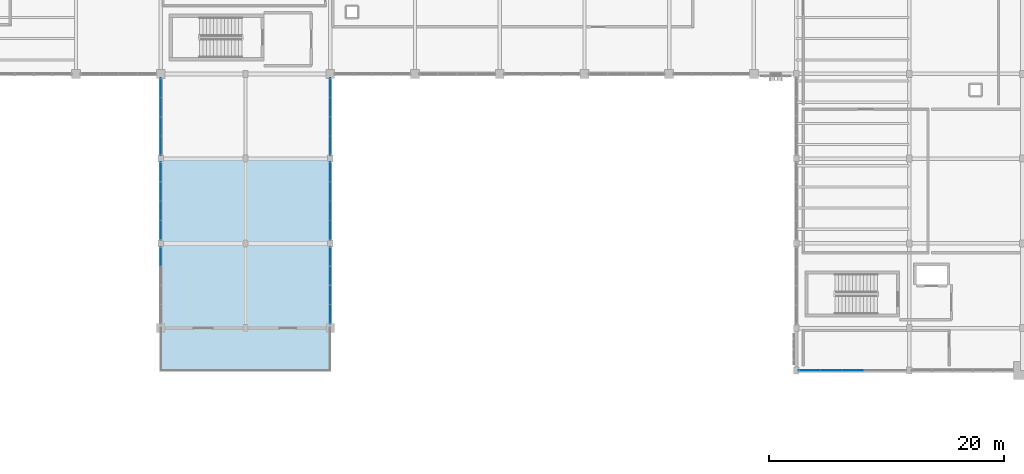
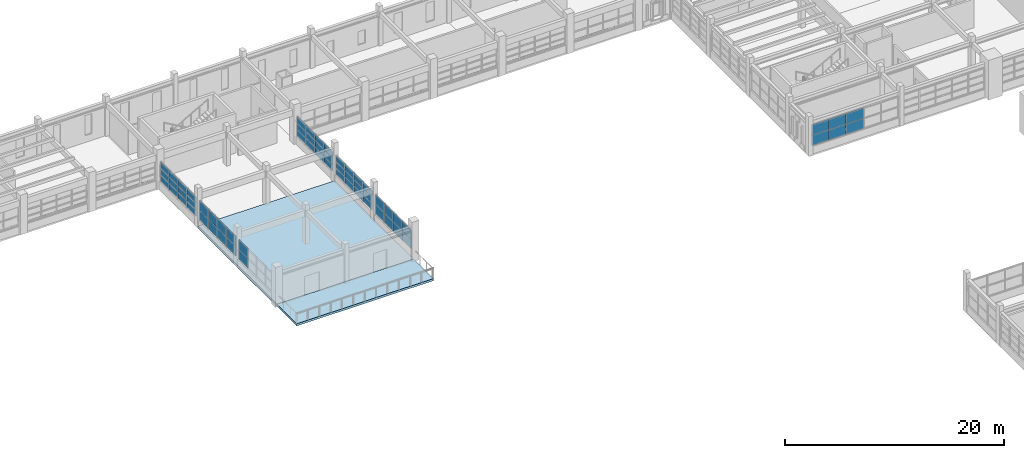
# One storey, part 38 of 69: 60 plates, 2 slabs, 7 elements without a shape of their own.
"""IFC4 building model written with IfcOpenShell, lengths in metres."""

import ifcopenshell
import ifcopenshell.guid

model = None  # the IFC model being written
_history = None  # IfcOwnerHistory: only IFC2X3 demands one
_inside = {}  # id of a spatial element -> (the spatial element, [elements in it])
_under = {}  # id of a project, library or spatial element -> (it, [spatial elements below it])
_declared = {}  # id of a project -> (the project, [libraries it declares])
_typed = {}  # id of a type object -> (the type object, [elements of that type])
_made_of = {}  # id of a material, layer set ... -> (it, [elements and type objects made of it])


def new_model(schema):
    """Start an empty IFC model of exactly this schema.

    Asked for "IFC4X3", IfcOpenShell would pick the latest addendum, in which some entities
    have other attributes; the version numbers below select the first issue.
    IFC2X3 requires an IfcOwnerHistory on every rooted entity: one is made here for all.
    """
    global model, _history
    if schema == "IFC4X3":
        model = ifcopenshell.file(schema_version=(4, 3, 0, 0))
    else:
        model = ifcopenshell.file(schema=schema)
    _inside.clear()
    _under.clear()
    _declared.clear()
    _typed.clear()
    _made_of.clear()
    _history = None
    if model.schema == "IFC2X3":
        org = make("IfcOrganization", Name="unknown")
        user = make(
            "IfcPersonAndOrganization",
            ThePerson=make("IfcPerson", FamilyName="unknown"),
            TheOrganization=org,
        )
        app = make(
            "IfcApplication",
            ApplicationDeveloper=org,
            Version="unknown",
            ApplicationFullName="unknown",
            ApplicationIdentifier="unknown",
        )
        _history = make(
            "IfcOwnerHistory",
            OwningUser=user,
            OwningApplication=app,
            ChangeAction="ADDED",
            CreationDate=0,
        )
    return model


def make(cls, **values):
    """One entity of the class cls with the attributes given. An attribute that is None is left unset."""
    return model.create_entity(
        cls, **{name: value for name, value in values.items() if value is not None}
    )


def rooted(cls, **values):
    """An entity with a GlobalId (a new one), such as an element, a storey or a relation."""
    return make(cls, GlobalId=ifcopenshell.guid.new(), OwnerHistory=_history, **values)


def si_unit(unit_type, name, prefix=None):
    """IfcSIUnit, for example si_unit("LENGTHUNIT", "METRE", prefix="MILLI")."""
    return make("IfcSIUnit", UnitType=unit_type, Prefix=prefix, Name=name)


def assignment(units):
    """IfcUnitAssignment: the units of a project."""
    return None if units is None else make("IfcUnitAssignment", Units=units)


def point(xyz):
    """IfcCartesianPoint."""
    return None if xyz is None else make("IfcCartesianPoint", Coordinates=xyz)


def direction(xyz):
    """IfcDirection."""
    return None if xyz is None else make("IfcDirection", DirectionRatios=xyz)


def frame(location, z_axis=None, x_axis=None):
    """IfcAxis2Placement3D, a coordinate frame: its origin and axes. An axis left out is left unset."""
    return make(
        "IfcAxis2Placement3D",
        Location=point(location),
        Axis=direction(z_axis),
        RefDirection=direction(x_axis),
    )


def frame_2d(location, x_axis=None):
    """IfcAxis2Placement2D, a coordinate frame in the plane: its origin and x axis."""
    return make(
        "IfcAxis2Placement2D", Location=point(location), RefDirection=direction(x_axis)
    )


def origin():
    """The frame at (0, 0, 0) with its axes left unset."""
    return frame((0.0, 0.0, 0.0))


def origin_2d():
    """The frame at (0, 0) in the plane with its x axis left unset."""
    return frame_2d((0.0, 0.0))


def place(relative_to, where):
    """IfcLocalPlacement: puts the frame where relative to a parent placement (None: the world)."""
    return make(
        "IfcLocalPlacement", PlacementRelTo=relative_to, RelativePlacement=where
    )


def context(
    kind, dimensions, precision=None, world=None, true_north=None, identifier=None
):
    """IfcGeometricRepresentationContext, for example the 3D "Model" context."""
    return make(
        "IfcGeometricRepresentationContext",
        ContextIdentifier=identifier,
        ContextType=kind,
        CoordinateSpaceDimension=dimensions,
        Precision=precision,
        WorldCoordinateSystem=world,
        TrueNorth=true_north,
    )


def subcontext(parent, identifier, kind, view, scale=None):
    """IfcGeometricRepresentationSubContext, for example "Body" below "Model"."""
    return make(
        "IfcGeometricRepresentationSubContext",
        ContextIdentifier=identifier,
        ContextType=kind,
        ParentContext=parent,
        TargetScale=scale,
        TargetView=view,
    )


def project(units=None, contexts=None):
    """IfcProject with its units and contexts."""
    return rooted(
        "IfcProject",
        Name="project",
        RepresentationContexts=contexts,
        UnitsInContext=assignment(units),
    )


def spatial(cls, under=None, at=None, **own):
    """A site, building, storey or space (cls), placed at a placement, below another one or the project."""
    s = rooted(cls, ObjectPlacement=at, **own)
    if under is not None:
        _under.setdefault(under.id(), (under, []))[1].append(s)
    return s


def polyline(points):
    """IfcPolyline through the points."""
    return make("IfcPolyline", Points=[point(p) for p in points])


def profile(cls, at=None, kind="AREA", **sizes):
    """A parametric profile (cls). Its sizes go by their IFC names, for example OverallWidth=200.0."""
    return make(cls, ProfileType=kind, Position=at, **sizes)


def rectangle(**sizes):
    """IfcRectangleProfileDef."""
    return profile("IfcRectangleProfileDef", **sizes)


def outline(outer, holes=None, kind="AREA"):
    """IfcArbitraryClosedProfileDef: a profile drawn as a closed curve; with holes, ...WithVoids."""
    if holes is None:
        return make("IfcArbitraryClosedProfileDef", ProfileType=kind, OuterCurve=outer)
    return make(
        "IfcArbitraryProfileDefWithVoids",
        ProfileType=kind,
        OuterCurve=outer,
        InnerCurves=holes,
    )


def extrude(swept, where, along, depth):
    """IfcExtrudedAreaSolid: the profile swept, set in the frame where, extruded along a direction by depth."""
    return make(
        "IfcExtrudedAreaSolid",
        SweptArea=swept,
        Position=where,
        ExtrudedDirection=direction(along),
        Depth=depth,
    )


def shape(context_of_items, identifier, shape_type, items):
    """IfcShapeRepresentation: the items that make up one representation, for example the "Body"."""
    return make(
        "IfcShapeRepresentation",
        ContextOfItems=context_of_items,
        RepresentationIdentifier=identifier,
        RepresentationType=shape_type,
        Items=items,
    )


def material(Name=None, Category=None):
    """IfcMaterial."""
    return make("IfcMaterial", Name=Name, Category=Category)


def layer(
    of_material, thickness, ventilated=None, Name=None, Category=None, Priority=None
):
    """IfcMaterialLayer: one layer of a wall or slab, of a material (None: an air gap)."""
    return make(
        "IfcMaterialLayer",
        Material=of_material,
        LayerThickness=thickness,
        IsVentilated=ventilated,
        Name=Name,
        Category=Category,
        Priority=Priority,
    )


def layer_set(layers, Name=None):
    """IfcMaterialLayerSet."""
    return make("IfcMaterialLayerSet", MaterialLayers=layers, LayerSetName=Name)


def made_of(thing, what):
    """Note that an element or type object is made of a material, layer set ...; save() writes the relation."""
    if what is not None:
        _made_of.setdefault(what.id(), (what, []))[1].append(thing)
    return thing


def type_object(cls, material=None, **own):
    """A type object (cls), such as IfcWallType, which elements share."""
    return made_of(rooted(cls, **own), material)


def element(
    cls,
    number,
    at=None,
    inside=None,
    cuts=None,
    type_object=None,
    material=None,
    context=None,
    identifier="Body",
    shape_type=None,
    held_by="IfcProductDefinitionShape",
    body=None,
    shapes=None,
    **own,
):
    """One element of the class cls, such as IfcWall. Its Tag is "e" and its number.

    at: its placement. inside: the storey or other place that contains it. cuts: it is an
    opening in that element (IfcRelVoidsElement). A single representation is given by context,
    identifier, shape_type and body (its items); several are given by shapes. held_by: the class
    of the entity that holds the representations. save() writes the other relations.
    """
    e = rooted(cls, Tag="e%d" % number, ObjectPlacement=at, **own)
    if body is not None:
        shapes = [shape(context, identifier, shape_type, body)]
    if shapes is not None:
        e.Representation = make(held_by, Representations=shapes)
    if inside is not None:
        _inside.setdefault(inside.id(), (inside, []))[1].append(e)
    if cuts is not None:
        rooted(
            "IfcRelVoidsElement", RelatingBuildingElement=cuts, RelatedOpeningElement=e
        )
    if type_object is not None:
        _typed.setdefault(type_object.id(), (type_object, []))[1].append(e)
    return made_of(e, material)


def aggregate(whole, parts):
    """IfcRelAggregates: a whole, such as a stair, and the parts it consists of."""
    return rooted("IfcRelAggregates", RelatingObject=whole, RelatedObjects=parts)


def save(model, path):
    """Write the relations noted so far, then the file.

    IfcRelAggregates (storeys below a building ...), IfcRelContainedInSpatialStructure (elements
    in a storey), IfcRelDefinesByType, IfcRelAssociatesMaterial and IfcRelDeclares: one each for
    every whole, place, type object, material and project.
    """
    for whole, parts in _under.values():
        aggregate(whole, parts)
    for where, things in _inside.values():
        rooted(
            "IfcRelContainedInSpatialStructure",
            RelatedElements=things,
            RelatingStructure=where,
        )
    for kind, things in _typed.values():
        rooted("IfcRelDefinesByType", RelatedObjects=things, RelatingType=kind)
    for what, things in _made_of.values():
        rooted("IfcRelAssociatesMaterial", RelatedObjects=things, RelatingMaterial=what)
    for by, libraries in _declared.values():
        rooted("IfcRelDeclares", RelatingContext=by, RelatedDefinitions=libraries)
    model.write(path)


model = new_model("IFC4")

# Units and contexts
model_context = context("Model", 3, precision=1e-05, world=origin(), true_north=direction((0.0, 1.0)))
body_context = subcontext(model_context, "Body", "Model", "MODEL_VIEW")
ifc_project = project(units=[si_unit("LENGTHUNIT", "METRE"), si_unit("AREAUNIT", "SQUARE_METRE"), si_unit("VOLUMEUNIT", "CUBIC_METRE"), si_unit("PLANEANGLEUNIT", "RADIAN"), si_unit("MASSUNIT", "GRAM", prefix="KILO")], contexts=[model_context])

# Site, building, storey
site_placement = place(None, origin())
site = spatial("IfcSite", under=ifc_project, at=site_placement, CompositionType="ELEMENT")
building_placement = place(site_placement, origin())
building = spatial("IfcBuilding", under=site, at=building_placement, Name="Nzembalo Square Collegiate School", CompositionType="ELEMENT")
storey_placement = place(building_placement, frame((0.0, 0.0, 5.10009765625)))
storey = spatial("IfcBuildingStorey", under=building, at=storey_placement, Name="L01", CompositionType="ELEMENT", Elevation=5.10009765625)

# Curtain wall, plates
ifc_material_1 = material(Name="Aluminium 6060-T66", Category="aluminium")
curtain_wall_type_1 = type_object("IfcCurtainWallType", Name="CW-01", PredefinedType="USERDEFINED", material=ifc_material_1)
curtain_wall_1_placement = place(storey_placement, origin())
curtain_wall_1 = element("IfcCurtainWall", 1, at=curtain_wall_1_placement, inside=storey, type_object=curtain_wall_type_1, Name="Curtain wall CW-01 cw:L01:080", ObjectType="UNITISED", PredefinedType="USERDEFINED")
ifc_material_2 = material(Name="Laminated solar-control double glazing", Category="glass")
ifc_layer_1 = layer(ifc_material_2, 0.028076171875, Name="Laminated solar-control double glazing")
ifc_layer_set_1 = layer_set([ifc_layer_1], Name="Laminated solar-control double glazing")
plate_type_1 = type_object("IfcPlateType", Name="PN01", PredefinedType="CURTAIN_PANEL", material=ifc_layer_set_1)
plate_1_placement = place(storey_placement, frame((91.199951171875, 91.12646484375, 0.85400390625), z_axis=(0.0, 0.0, 1.0), x_axis=(0.0, 1.0, 0.0)))
plate_1 = element("IfcPlate", 2, at=plate_1_placement, type_object=plate_type_1, Name="PN01 glazed panel 1-1", PredefinedType="CURTAIN_PANEL", context=body_context, shape_type="SweptSolid", body=[
    extrude(rectangle(XDim=1.64111328125, YDim=0.028076171875, at=origin_2d()), origin(), (0.0, 0.0, 1.0), 0.716552734375),
])
plate_2_placement = place(storey_placement, frame((91.199951171875, 92.775390625, 0.85400390625), z_axis=(0.0, 0.0, 1.0), x_axis=(0.0, 1.0, 0.0)))
plate_2 = element("IfcPlate", 3, at=plate_2_placement, type_object=plate_type_1, Name="PN01 glazed panel 1-2", PredefinedType="CURTAIN_PANEL", context=body_context, shape_type="SweptSolid", body=[
    extrude(rectangle(XDim=1.64111328125, YDim=0.028076171875, at=origin_2d()), origin(), (0.0, 0.0, 1.0), 0.716552734375),
])
plate_3_placement = place(storey_placement, frame((91.199951171875, 94.424560546875, 0.85400390625), z_axis=(0.0, 0.0, 1.0), x_axis=(0.0, 1.0, 0.0)))
plate_3 = element("IfcPlate", 4, at=plate_3_placement, type_object=plate_type_1, Name="PN01 glazed panel 1-3", PredefinedType="CURTAIN_PANEL", context=body_context, shape_type="SweptSolid", body=[
    extrude(rectangle(XDim=1.64111328125, YDim=0.028076171875, at=origin_2d()), origin(), (0.0, 0.0, 1.0), 0.716552734375),
])
plate_4_placement = place(storey_placement, frame((91.199951171875, 96.073486328125, 0.85400390625), z_axis=(0.0, 0.0, 1.0), x_axis=(0.0, 1.0, 0.0)))
plate_4 = element("IfcPlate", 5, at=plate_4_placement, type_object=plate_type_1, Name="PN01 glazed panel 1-4", PredefinedType="CURTAIN_PANEL", context=body_context, shape_type="SweptSolid", body=[
    extrude(rectangle(XDim=1.64111328125, YDim=0.028076171875, at=origin_2d()), origin(), (0.0, 0.0, 1.0), 0.716552734375),
])
plate_5_placement = place(storey_placement, frame((91.199951171875, 91.12646484375, 1.57861328125), z_axis=(0.0, 0.0, 1.0), x_axis=(0.0, 1.0, 0.0)))
plate_5 = element("IfcPlate", 6, at=plate_5_placement, type_object=plate_type_1, Name="PN01 glazed panel 2-1", PredefinedType="CURTAIN_PANEL", context=body_context, shape_type="SweptSolid", body=[
    extrude(rectangle(XDim=1.64111328125, YDim=0.028076171875, at=origin_2d()), origin(), (0.0, 0.0, 1.0), 0.716552734375),
])
plate_6_placement = place(storey_placement, frame((91.199951171875, 92.775390625, 1.57861328125), z_axis=(0.0, 0.0, 1.0), x_axis=(0.0, 1.0, 0.0)))
plate_6 = element("IfcPlate", 7, at=plate_6_placement, type_object=plate_type_1, Name="PN01 glazed panel 2-2", PredefinedType="CURTAIN_PANEL", context=body_context, shape_type="SweptSolid", body=[
    extrude(rectangle(XDim=1.64111328125, YDim=0.028076171875, at=origin_2d()), origin(), (0.0, 0.0, 1.0), 0.716552734375),
])
plate_7_placement = place(storey_placement, frame((91.199951171875, 94.424560546875, 1.57861328125), z_axis=(0.0, 0.0, 1.0), x_axis=(0.0, 1.0, 0.0)))
plate_7 = element("IfcPlate", 8, at=plate_7_placement, type_object=plate_type_1, Name="PN01 glazed panel 2-3", PredefinedType="CURTAIN_PANEL", context=body_context, shape_type="SweptSolid", body=[
    extrude(rectangle(XDim=1.64111328125, YDim=0.028076171875, at=origin_2d()), origin(), (0.0, 0.0, 1.0), 0.716552734375),
])
plate_8_placement = place(storey_placement, frame((91.199951171875, 96.073486328125, 1.57861328125), z_axis=(0.0, 0.0, 1.0), x_axis=(0.0, 1.0, 0.0)))
plate_8 = element("IfcPlate", 9, at=plate_8_placement, type_object=plate_type_1, Name="PN01 glazed panel 2-4", PredefinedType="CURTAIN_PANEL", context=body_context, shape_type="SweptSolid", body=[
    extrude(rectangle(XDim=1.64111328125, YDim=0.028076171875, at=origin_2d()), origin(), (0.0, 0.0, 1.0), 0.716552734375),
])
plate_9_placement = place(storey_placement, frame((91.199951171875, 91.12646484375, 2.30322265625), z_axis=(0.0, 0.0, 1.0), x_axis=(0.0, 1.0, 0.0)))
plate_9 = element("IfcPlate", 10, at=plate_9_placement, type_object=plate_type_1, Name="PN01 glazed panel 3-1", PredefinedType="CURTAIN_PANEL", context=body_context, shape_type="SweptSolid", body=[
    extrude(rectangle(XDim=1.64111328125, YDim=0.028076171875, at=origin_2d()), origin(), (0.0, 0.0, 1.0), 0.716552734375),
])
plate_10_placement = place(storey_placement, frame((91.199951171875, 92.775390625, 2.30322265625), z_axis=(0.0, 0.0, 1.0), x_axis=(0.0, 1.0, 0.0)))
plate_10 = element("IfcPlate", 11, at=plate_10_placement, type_object=plate_type_1, Name="PN01 glazed panel 3-2", PredefinedType="CURTAIN_PANEL", context=body_context, shape_type="SweptSolid", body=[
    extrude(rectangle(XDim=1.64111328125, YDim=0.028076171875, at=origin_2d()), origin(), (0.0, 0.0, 1.0), 0.716552734375),
])
plate_11_placement = place(storey_placement, frame((91.199951171875, 94.424560546875, 2.30322265625), z_axis=(0.0, 0.0, 1.0), x_axis=(0.0, 1.0, 0.0)))
plate_11 = element("IfcPlate", 12, at=plate_11_placement, type_object=plate_type_1, Name="PN01 glazed panel 3-3", PredefinedType="CURTAIN_PANEL", context=body_context, shape_type="SweptSolid", body=[
    extrude(rectangle(XDim=1.64111328125, YDim=0.028076171875, at=origin_2d()), origin(), (0.0, 0.0, 1.0), 0.716552734375),
])
plate_12_placement = place(storey_placement, frame((91.199951171875, 96.073486328125, 2.30322265625), z_axis=(0.0, 0.0, 1.0), x_axis=(0.0, 1.0, 0.0)))
plate_12 = element("IfcPlate", 13, at=plate_12_placement, type_object=plate_type_1, Name="PN01 glazed panel 3-4", PredefinedType="CURTAIN_PANEL", context=body_context, shape_type="SweptSolid", body=[
    extrude(rectangle(XDim=1.64111328125, YDim=0.028076171875, at=origin_2d()), origin(), (0.0, 0.0, 1.0), 0.716552734375),
])
aggregate(curtain_wall_1, [plate_1, plate_2, plate_3, plate_4, plate_5, plate_6, plate_7, plate_8, plate_9, plate_10, plate_11, plate_12])

ifc_material_3 = material(Name="Aluminium 6060-T66", Category="aluminium")
curtain_wall_type_2 = type_object("IfcCurtainWallType", Name="CW-02", PredefinedType="USERDEFINED", material=ifc_material_3)
curtain_wall_2_placement = place(storey_placement, origin())
curtain_wall_2 = element("IfcCurtainWall", 14, at=curtain_wall_2_placement, inside=storey, type_object=curtain_wall_type_2, Name="Curtain wall CW-02 cw:L01:081", ObjectType="UNITISED", PredefinedType="USERDEFINED")
plate_13_placement = place(storey_placement, frame((91.199951171875, 98.317138671875, 0.85400390625), z_axis=(0.0, 0.0, 1.0), x_axis=(0.0, 1.0, 0.0)))
plate_13 = element("IfcPlate", 15, at=plate_13_placement, type_object=plate_type_1, Name="PN01 glazed panel 1-1", PredefinedType="CURTAIN_PANEL", context=body_context, shape_type="SweptSolid", body=[
    extrude(rectangle(XDim=1.622314453125, YDim=0.028076171875, at=origin_2d()), origin(), (0.0, 0.0, 1.0), 0.716552734375),
])
plate_14_placement = place(storey_placement, frame((91.199951171875, 99.947265625, 0.85400390625), z_axis=(0.0, 0.0, 1.0), x_axis=(0.0, 1.0, 0.0)))
plate_14 = element("IfcPlate", 16, at=plate_14_placement, type_object=plate_type_1, Name="PN01 glazed panel 1-2", PredefinedType="CURTAIN_PANEL", context=body_context, shape_type="SweptSolid", body=[
    extrude(rectangle(XDim=1.622314453125, YDim=0.028076171875, at=origin_2d()), origin(), (0.0, 0.0, 1.0), 0.716552734375),
])
plate_15_placement = place(storey_placement, frame((91.199951171875, 101.57763671875, 0.85400390625), z_axis=(0.0, 0.0, 1.0), x_axis=(0.0, 1.0, 0.0)))
plate_15 = element("IfcPlate", 17, at=plate_15_placement, type_object=plate_type_1, Name="PN01 glazed panel 1-3", PredefinedType="CURTAIN_PANEL", context=body_context, shape_type="SweptSolid", body=[
    extrude(rectangle(XDim=1.622314453125, YDim=0.028076171875, at=origin_2d()), origin(), (0.0, 0.0, 1.0), 0.716552734375),
])
plate_16_placement = place(storey_placement, frame((91.199951171875, 103.207763671875, 0.85400390625), z_axis=(0.0, 0.0, 1.0), x_axis=(0.0, 1.0, 0.0)))
plate_16 = element("IfcPlate", 18, at=plate_16_placement, type_object=plate_type_1, Name="PN01 glazed panel 1-4", PredefinedType="CURTAIN_PANEL", context=body_context, shape_type="SweptSolid", body=[
    extrude(rectangle(XDim=1.622314453125, YDim=0.028076171875, at=origin_2d()), origin(), (0.0, 0.0, 1.0), 0.716552734375),
])
plate_17_placement = place(storey_placement, frame((91.199951171875, 98.317138671875, 1.57861328125), z_axis=(0.0, 0.0, 1.0), x_axis=(0.0, 1.0, 0.0)))
plate_17 = element("IfcPlate", 19, at=plate_17_placement, type_object=plate_type_1, Name="PN01 glazed panel 2-1", PredefinedType="CURTAIN_PANEL", context=body_context, shape_type="SweptSolid", body=[
    extrude(rectangle(XDim=1.622314453125, YDim=0.028076171875, at=origin_2d()), origin(), (0.0, 0.0, 1.0), 0.716552734375),
])
plate_18_placement = place(storey_placement, frame((91.199951171875, 99.947265625, 1.57861328125), z_axis=(0.0, 0.0, 1.0), x_axis=(0.0, 1.0, 0.0)))
plate_18 = element("IfcPlate", 20, at=plate_18_placement, type_object=plate_type_1, Name="PN01 glazed panel 2-2", PredefinedType="CURTAIN_PANEL", context=body_context, shape_type="SweptSolid", body=[
    extrude(rectangle(XDim=1.622314453125, YDim=0.028076171875, at=origin_2d()), origin(), (0.0, 0.0, 1.0), 0.716552734375),
])
plate_19_placement = place(storey_placement, frame((91.199951171875, 101.57763671875, 1.57861328125), z_axis=(0.0, 0.0, 1.0), x_axis=(0.0, 1.0, 0.0)))
plate_19 = element("IfcPlate", 21, at=plate_19_placement, type_object=plate_type_1, Name="PN01 glazed panel 2-3", PredefinedType="CURTAIN_PANEL", context=body_context, shape_type="SweptSolid", body=[
    extrude(rectangle(XDim=1.622314453125, YDim=0.028076171875, at=origin_2d()), origin(), (0.0, 0.0, 1.0), 0.716552734375),
])
plate_20_placement = place(storey_placement, frame((91.199951171875, 103.207763671875, 1.57861328125), z_axis=(0.0, 0.0, 1.0), x_axis=(0.0, 1.0, 0.0)))
plate_20 = element("IfcPlate", 22, at=plate_20_placement, type_object=plate_type_1, Name="PN01 glazed panel 2-4", PredefinedType="CURTAIN_PANEL", context=body_context, shape_type="SweptSolid", body=[
    extrude(rectangle(XDim=1.622314453125, YDim=0.028076171875, at=origin_2d()), origin(), (0.0, 0.0, 1.0), 0.716552734375),
])
plate_21_placement = place(storey_placement, frame((91.199951171875, 98.317138671875, 2.30322265625), z_axis=(0.0, 0.0, 1.0), x_axis=(0.0, 1.0, 0.0)))
plate_21 = element("IfcPlate", 23, at=plate_21_placement, type_object=plate_type_1, Name="PN01 glazed panel 3-1", PredefinedType="CURTAIN_PANEL", context=body_context, shape_type="SweptSolid", body=[
    extrude(rectangle(XDim=1.622314453125, YDim=0.028076171875, at=origin_2d()), origin(), (0.0, 0.0, 1.0), 0.716552734375),
])
plate_22_placement = place(storey_placement, frame((91.199951171875, 99.947265625, 2.30322265625), z_axis=(0.0, 0.0, 1.0), x_axis=(0.0, 1.0, 0.0)))
plate_22 = element("IfcPlate", 24, at=plate_22_placement, type_object=plate_type_1, Name="PN01 glazed panel 3-2", PredefinedType="CURTAIN_PANEL", context=body_context, shape_type="SweptSolid", body=[
    extrude(rectangle(XDim=1.622314453125, YDim=0.028076171875, at=origin_2d()), origin(), (0.0, 0.0, 1.0), 0.716552734375),
])
plate_23_placement = place(storey_placement, frame((91.199951171875, 101.57763671875, 2.30322265625), z_axis=(0.0, 0.0, 1.0), x_axis=(0.0, 1.0, 0.0)))
plate_23 = element("IfcPlate", 25, at=plate_23_placement, type_object=plate_type_1, Name="PN01 glazed panel 3-3", PredefinedType="CURTAIN_PANEL", context=body_context, shape_type="SweptSolid", body=[
    extrude(rectangle(XDim=1.622314453125, YDim=0.028076171875, at=origin_2d()), origin(), (0.0, 0.0, 1.0), 0.716552734375),
])
plate_24_placement = place(storey_placement, frame((91.199951171875, 103.207763671875, 2.30322265625), z_axis=(0.0, 0.0, 1.0), x_axis=(0.0, 1.0, 0.0)))
plate_24 = element("IfcPlate", 26, at=plate_24_placement, type_object=plate_type_1, Name="PN01 glazed panel 3-4", PredefinedType="CURTAIN_PANEL", context=body_context, shape_type="SweptSolid", body=[
    extrude(rectangle(XDim=1.622314453125, YDim=0.028076171875, at=origin_2d()), origin(), (0.0, 0.0, 1.0), 0.716552734375),
])
aggregate(curtain_wall_2, [plate_13, plate_14, plate_15, plate_16, plate_17, plate_18, plate_19, plate_20, plate_21, plate_22, plate_23, plate_24])

ifc_material_4 = material(Name="Aluminium 6060-T66", Category="aluminium")
curtain_wall_type_3 = type_object("IfcCurtainWallType", Name="CW-05", PredefinedType="USERDEFINED", material=ifc_material_4)
curtain_wall_3_placement = place(storey_placement, origin())
curtain_wall_3 = element("IfcCurtainWall", 27, at=curtain_wall_3_placement, inside=storey, type_object=curtain_wall_type_3, Name="Curtain wall CW-05 cw:L01:084", ObjectType="LANCET", PredefinedType="USERDEFINED")
plate_25_placement = place(storey_placement, frame((76.800048828125, 98.317138671875, 0.85400390625), z_axis=(0.0, 0.0, 1.0), x_axis=(0.0, 1.0, 0.0)))
plate_25 = element("IfcPlate", 28, at=plate_25_placement, type_object=plate_type_1, Name="PN01 glazed panel 1-1", PredefinedType="CURTAIN_PANEL", context=body_context, shape_type="SweptSolid", body=[
    extrude(rectangle(XDim=1.622314453125, YDim=0.028076171875, at=origin_2d()), origin(), (0.0, 0.0, 1.0), 0.716552734375),
])
plate_26_placement = place(storey_placement, frame((76.800048828125, 99.947265625, 0.85400390625), z_axis=(0.0, 0.0, 1.0), x_axis=(0.0, 1.0, 0.0)))
plate_26 = element("IfcPlate", 29, at=plate_26_placement, type_object=plate_type_1, Name="PN01 glazed panel 1-2", PredefinedType="CURTAIN_PANEL", context=body_context, shape_type="SweptSolid", body=[
    extrude(rectangle(XDim=1.622314453125, YDim=0.028076171875, at=origin_2d()), origin(), (0.0, 0.0, 1.0), 0.716552734375),
])
plate_27_placement = place(storey_placement, frame((76.800048828125, 101.57763671875, 0.85400390625), z_axis=(0.0, 0.0, 1.0), x_axis=(0.0, 1.0, 0.0)))
plate_27 = element("IfcPlate", 30, at=plate_27_placement, type_object=plate_type_1, Name="PN01 glazed panel 1-3", PredefinedType="CURTAIN_PANEL", context=body_context, shape_type="SweptSolid", body=[
    extrude(rectangle(XDim=1.622314453125, YDim=0.028076171875, at=origin_2d()), origin(), (0.0, 0.0, 1.0), 0.716552734375),
])
plate_28_placement = place(storey_placement, frame((76.800048828125, 103.207763671875, 0.85400390625), z_axis=(0.0, 0.0, 1.0), x_axis=(0.0, 1.0, 0.0)))
plate_28 = element("IfcPlate", 31, at=plate_28_placement, type_object=plate_type_1, Name="PN01 glazed panel 1-4", PredefinedType="CURTAIN_PANEL", context=body_context, shape_type="SweptSolid", body=[
    extrude(rectangle(XDim=1.622314453125, YDim=0.028076171875, at=origin_2d()), origin(), (0.0, 0.0, 1.0), 0.716552734375),
])
plate_29_placement = place(storey_placement, frame((76.800048828125, 98.317138671875, 1.57861328125), z_axis=(0.0, 0.0, 1.0), x_axis=(0.0, 1.0, 0.0)))
plate_29 = element("IfcPlate", 32, at=plate_29_placement, type_object=plate_type_1, Name="PN01 glazed panel 2-1", PredefinedType="CURTAIN_PANEL", context=body_context, shape_type="SweptSolid", body=[
    extrude(rectangle(XDim=1.622314453125, YDim=0.028076171875, at=origin_2d()), origin(), (0.0, 0.0, 1.0), 0.716552734375),
])
plate_30_placement = place(storey_placement, frame((76.800048828125, 99.947265625, 1.57861328125), z_axis=(0.0, 0.0, 1.0), x_axis=(0.0, 1.0, 0.0)))
plate_30 = element("IfcPlate", 33, at=plate_30_placement, type_object=plate_type_1, Name="PN01 glazed panel 2-2", PredefinedType="CURTAIN_PANEL", context=body_context, shape_type="SweptSolid", body=[
    extrude(rectangle(XDim=1.622314453125, YDim=0.028076171875, at=origin_2d()), origin(), (0.0, 0.0, 1.0), 0.716552734375),
])
plate_31_placement = place(storey_placement, frame((76.800048828125, 101.57763671875, 1.57861328125), z_axis=(0.0, 0.0, 1.0), x_axis=(0.0, 1.0, 0.0)))
plate_31 = element("IfcPlate", 34, at=plate_31_placement, type_object=plate_type_1, Name="PN01 glazed panel 2-3", PredefinedType="CURTAIN_PANEL", context=body_context, shape_type="SweptSolid", body=[
    extrude(rectangle(XDim=1.622314453125, YDim=0.028076171875, at=origin_2d()), origin(), (0.0, 0.0, 1.0), 0.716552734375),
])
plate_32_placement = place(storey_placement, frame((76.800048828125, 103.207763671875, 1.57861328125), z_axis=(0.0, 0.0, 1.0), x_axis=(0.0, 1.0, 0.0)))
plate_32 = element("IfcPlate", 35, at=plate_32_placement, type_object=plate_type_1, Name="PN01 glazed panel 2-4", PredefinedType="CURTAIN_PANEL", context=body_context, shape_type="SweptSolid", body=[
    extrude(rectangle(XDim=1.622314453125, YDim=0.028076171875, at=origin_2d()), origin(), (0.0, 0.0, 1.0), 0.716552734375),
])
plate_33_placement = place(storey_placement, frame((76.800048828125, 98.317138671875, 2.30322265625), z_axis=(0.0, 0.0, 1.0), x_axis=(0.0, 1.0, 0.0)))
plate_33 = element("IfcPlate", 36, at=plate_33_placement, type_object=plate_type_1, Name="PN01 glazed panel 3-1", PredefinedType="CURTAIN_PANEL", context=body_context, shape_type="SweptSolid", body=[
    extrude(rectangle(XDim=1.622314453125, YDim=0.028076171875, at=origin_2d()), origin(), (0.0, 0.0, 1.0), 0.716552734375),
])
plate_34_placement = place(storey_placement, frame((76.800048828125, 99.947265625, 2.30322265625), z_axis=(0.0, 0.0, 1.0), x_axis=(0.0, 1.0, 0.0)))
plate_34 = element("IfcPlate", 37, at=plate_34_placement, type_object=plate_type_1, Name="PN01 glazed panel 3-2", PredefinedType="CURTAIN_PANEL", context=body_context, shape_type="SweptSolid", body=[
    extrude(rectangle(XDim=1.622314453125, YDim=0.028076171875, at=origin_2d()), origin(), (0.0, 0.0, 1.0), 0.716552734375),
])
plate_35_placement = place(storey_placement, frame((76.800048828125, 101.57763671875, 2.30322265625), z_axis=(0.0, 0.0, 1.0), x_axis=(0.0, 1.0, 0.0)))
plate_35 = element("IfcPlate", 38, at=plate_35_placement, type_object=plate_type_1, Name="PN01 glazed panel 3-3", PredefinedType="CURTAIN_PANEL", context=body_context, shape_type="SweptSolid", body=[
    extrude(rectangle(XDim=1.622314453125, YDim=0.028076171875, at=origin_2d()), origin(), (0.0, 0.0, 1.0), 0.716552734375),
])
plate_36_placement = place(storey_placement, frame((76.800048828125, 103.207763671875, 2.30322265625), z_axis=(0.0, 0.0, 1.0), x_axis=(0.0, 1.0, 0.0)))
plate_36 = element("IfcPlate", 39, at=plate_36_placement, type_object=plate_type_1, Name="PN01 glazed panel 3-4", PredefinedType="CURTAIN_PANEL", context=body_context, shape_type="SweptSolid", body=[
    extrude(rectangle(XDim=1.622314453125, YDim=0.028076171875, at=origin_2d()), origin(), (0.0, 0.0, 1.0), 0.716552734375),
])
aggregate(curtain_wall_3, [plate_25, plate_26, plate_27, plate_28, plate_29, plate_30, plate_31, plate_32, plate_33, plate_34, plate_35, plate_36])

ifc_material_5 = material(Name="Aluminium 6060-T66", Category="aluminium")
curtain_wall_type_4 = type_object("IfcCurtainWallType", Name="CW-12", PredefinedType="USERDEFINED", material=ifc_material_5)
curtain_wall_4_placement = place(storey_placement, origin())
curtain_wall_4 = element("IfcCurtainWall", 40, at=curtain_wall_4_placement, inside=storey, type_object=curtain_wall_type_4, Name="Curtain wall CW-12 cw:L01:067", ObjectType="LANCET", PredefinedType="USERDEFINED")
ifc_material_6 = material(Name="Acoustic laminated solar-control glazing", Category="glass")
ifc_layer_2 = layer(ifc_material_6, 0.031982421875, Name="Acoustic laminated solar-control glazing")
ifc_layer_set_2 = layer_set([ifc_layer_2], Name="Acoustic laminated solar-control glazing")
plate_type_2 = type_object("IfcPlateType", Name="PN02", PredefinedType="CURTAIN_PANEL", material=ifc_layer_set_2)
plate_37_placement = place(storey_placement, frame((131.941650390625, 79.199951171875, 0.85400390625), z_axis=(0.0, 0.0, 1.0), x_axis=(1.0, 0.0, 0.0)))
plate_37 = element("IfcPlate", 41, at=plate_37_placement, type_object=plate_type_2, Name="PN02 glazed panel 1-1", PredefinedType="CURTAIN_PANEL", context=body_context, shape_type="SweptSolid", body=[
    extrude(rectangle(XDim=1.8212890625, YDim=0.031982421875, at=origin_2d()), origin(), (0.0, 0.0, 1.0), 1.158935546875),
])
plate_38_placement = place(storey_placement, frame((133.770751953125, 79.199951171875, 0.85400390625), z_axis=(0.0, 0.0, 1.0), x_axis=(1.0, 0.0, 0.0)))
plate_38 = element("IfcPlate", 42, at=plate_38_placement, type_object=plate_type_2, Name="PN02 glazed panel 1-2", PredefinedType="CURTAIN_PANEL", context=body_context, shape_type="SweptSolid", body=[
    extrude(rectangle(XDim=1.8212890625, YDim=0.031982421875, at=origin_2d()), origin(), (0.0, 0.0, 1.0), 1.158935546875),
])
plate_39_placement = place(storey_placement, frame((135.60009765625, 79.199951171875, 0.85400390625), z_axis=(0.0, 0.0, 1.0), x_axis=(1.0, 0.0, 0.0)))
plate_39 = element("IfcPlate", 43, at=plate_39_placement, type_object=plate_type_2, Name="PN02 glazed panel 1-3", PredefinedType="CURTAIN_PANEL", context=body_context, shape_type="SweptSolid", body=[
    extrude(rectangle(XDim=1.8212890625, YDim=0.031982421875, at=origin_2d()), origin(), (0.0, 0.0, 1.0), 1.158935546875),
])
plate_40_placement = place(storey_placement, frame((131.941650390625, 79.199951171875, 2.02099609375), z_axis=(0.0, 0.0, 1.0), x_axis=(1.0, 0.0, 0.0)))
plate_40 = element("IfcPlate", 44, at=plate_40_placement, type_object=plate_type_2, Name="PN02 glazed panel 2-1", PredefinedType="CURTAIN_PANEL", context=body_context, shape_type="SweptSolid", body=[
    extrude(rectangle(XDim=1.8212890625, YDim=0.031982421875, at=origin_2d()), origin(), (0.0, 0.0, 1.0), 1.158935546875),
])
plate_41_placement = place(storey_placement, frame((133.770751953125, 79.199951171875, 2.02099609375), z_axis=(0.0, 0.0, 1.0), x_axis=(1.0, 0.0, 0.0)))
plate_41 = element("IfcPlate", 45, at=plate_41_placement, type_object=plate_type_2, Name="PN02 glazed panel 2-2", PredefinedType="CURTAIN_PANEL", context=body_context, shape_type="SweptSolid", body=[
    extrude(rectangle(XDim=1.8212890625, YDim=0.031982421875, at=origin_2d()), origin(), (0.0, 0.0, 1.0), 1.158935546875),
])
plate_42_placement = place(storey_placement, frame((135.60009765625, 79.199951171875, 2.02099609375), z_axis=(0.0, 0.0, 1.0), x_axis=(1.0, 0.0, 0.0)))
plate_42 = element("IfcPlate", 46, at=plate_42_placement, type_object=plate_type_2, Name="PN02 glazed panel 2-3", PredefinedType="CURTAIN_PANEL", context=body_context, shape_type="SweptSolid", body=[
    extrude(rectangle(XDim=1.8212890625, YDim=0.031982421875, at=origin_2d()), origin(), (0.0, 0.0, 1.0), 1.158935546875),
])
aggregate(curtain_wall_4, [plate_37, plate_38, plate_39, plate_40, plate_41, plate_42])

ifc_material_7 = material(Name="Aluminium 6060-T66", Category="aluminium")
curtain_wall_type_5 = type_object("IfcCurtainWallType", Name="CW-08", PredefinedType="USERDEFINED", material=ifc_material_7)
curtain_wall_5_placement = place(storey_placement, origin())
curtain_wall_5 = element("IfcCurtainWall", 47, at=curtain_wall_5_placement, inside=storey, type_object=curtain_wall_type_5, Name="Curtain wall CW-08 cw:L01:079", ObjectType="LANCET", PredefinedType="USERDEFINED")
plate_43_placement = place(storey_placement, frame((91.199951171875, 83.9921875, 0.853759765625), z_axis=(0.0, 0.0, 1.0), x_axis=(0.0, 1.0, 0.0)))
plate_43 = element("IfcPlate", 48, at=plate_43_placement, type_object=plate_type_2, Name="PN02 glazed panel 1-1", PredefinedType="CURTAIN_PANEL", context=body_context, shape_type="SweptSolid", body=[
    extrude(rectangle(XDim=1.622314453125, YDim=0.031982421875, at=origin_2d()), origin(), (0.0, 0.0, 1.0), 1.0791015625),
])
plate_44_placement = place(storey_placement, frame((91.199951171875, 85.622314453125, 0.853759765625), z_axis=(0.0, 0.0, 1.0), x_axis=(0.0, 1.0, 0.0)))
plate_44 = element("IfcPlate", 49, at=plate_44_placement, type_object=plate_type_2, Name="PN02 glazed panel 1-2", PredefinedType="CURTAIN_PANEL", context=body_context, shape_type="SweptSolid", body=[
    extrude(rectangle(XDim=1.622314453125, YDim=0.031982421875, at=origin_2d()), origin(), (0.0, 0.0, 1.0), 1.0791015625),
])
plate_45_placement = place(storey_placement, frame((91.199951171875, 87.252685546875, 0.853759765625), z_axis=(0.0, 0.0, 1.0), x_axis=(0.0, 1.0, 0.0)))
plate_45 = element("IfcPlate", 50, at=plate_45_placement, type_object=plate_type_2, Name="PN02 glazed panel 1-3", PredefinedType="CURTAIN_PANEL", context=body_context, shape_type="SweptSolid", body=[
    extrude(rectangle(XDim=1.622314453125, YDim=0.031982421875, at=origin_2d()), origin(), (0.0, 0.0, 1.0), 1.0791015625),
])
plate_46_placement = place(storey_placement, frame((91.199951171875, 88.8828125, 0.853759765625), z_axis=(0.0, 0.0, 1.0), x_axis=(0.0, 1.0, 0.0)))
plate_46 = element("IfcPlate", 51, at=plate_46_placement, type_object=plate_type_2, Name="PN02 glazed panel 1-4", PredefinedType="CURTAIN_PANEL", context=body_context, shape_type="SweptSolid", body=[
    extrude(rectangle(XDim=1.622314453125, YDim=0.031982421875, at=origin_2d()), origin(), (0.0, 0.0, 1.0), 1.0791015625),
])
plate_47_placement = place(storey_placement, frame((91.199951171875, 83.9921875, 1.94091796875), z_axis=(0.0, 0.0, 1.0), x_axis=(0.0, 1.0, 0.0)))
plate_47 = element("IfcPlate", 52, at=plate_47_placement, type_object=plate_type_2, Name="PN02 glazed panel 2-1", PredefinedType="CURTAIN_PANEL", context=body_context, shape_type="SweptSolid", body=[
    extrude(rectangle(XDim=1.622314453125, YDim=0.031982421875, at=origin_2d()), origin(), (0.0, 0.0, 1.0), 1.0791015625),
])
plate_48_placement = place(storey_placement, frame((91.199951171875, 85.622314453125, 1.94091796875), z_axis=(0.0, 0.0, 1.0), x_axis=(0.0, 1.0, 0.0)))
plate_48 = element("IfcPlate", 53, at=plate_48_placement, type_object=plate_type_2, Name="PN02 glazed panel 2-2", PredefinedType="CURTAIN_PANEL", context=body_context, shape_type="SweptSolid", body=[
    extrude(rectangle(XDim=1.622314453125, YDim=0.031982421875, at=origin_2d()), origin(), (0.0, 0.0, 1.0), 1.0791015625),
])
plate_49_placement = place(storey_placement, frame((91.199951171875, 87.252685546875, 1.94091796875), z_axis=(0.0, 0.0, 1.0), x_axis=(0.0, 1.0, 0.0)))
plate_49 = element("IfcPlate", 54, at=plate_49_placement, type_object=plate_type_2, Name="PN02 glazed panel 2-3", PredefinedType="CURTAIN_PANEL", context=body_context, shape_type="SweptSolid", body=[
    extrude(rectangle(XDim=1.622314453125, YDim=0.031982421875, at=origin_2d()), origin(), (0.0, 0.0, 1.0), 1.0791015625),
])
plate_50_placement = place(storey_placement, frame((91.199951171875, 88.8828125, 1.94091796875), z_axis=(0.0, 0.0, 1.0), x_axis=(0.0, 1.0, 0.0)))
plate_50 = element("IfcPlate", 55, at=plate_50_placement, type_object=plate_type_2, Name="PN02 glazed panel 2-4", PredefinedType="CURTAIN_PANEL", context=body_context, shape_type="SweptSolid", body=[
    extrude(rectangle(XDim=1.622314453125, YDim=0.031982421875, at=origin_2d()), origin(), (0.0, 0.0, 1.0), 1.0791015625),
])
aggregate(curtain_wall_5, [plate_43, plate_44, plate_45, plate_46, plate_47, plate_48, plate_49, plate_50])

ifc_material_8 = material(Name="Aluminium 6060-T66", Category="aluminium")
curtain_wall_type_6 = type_object("IfcCurtainWallType", Name="CW-03", PredefinedType="USERDEFINED", material=ifc_material_8)
curtain_wall_6_placement = place(storey_placement, origin())
curtain_wall_6 = element("IfcCurtainWall", 56, at=curtain_wall_6_placement, inside=storey, type_object=curtain_wall_type_6, Name="Curtain wall CW-03 cw:L01:082", ObjectType="UNITISED", PredefinedType="USERDEFINED")
plate_51_placement = place(storey_placement, frame((76.800048828125, 88.8828125, 0.853759765625), z_axis=(0.0, 0.0, 1.0), x_axis=(0.0, 1.0, 0.0)))
plate_51 = element("IfcPlate", 57, at=plate_51_placement, type_object=plate_type_2, Name="PN02 glazed panel 1-4", PredefinedType="CURTAIN_PANEL", context=body_context, shape_type="SweptSolid", body=[
    extrude(rectangle(XDim=1.622314453125, YDim=0.031982421875, at=origin_2d()), origin(), (0.0, 0.0, 1.0), 1.0791015625),
])
plate_52_placement = place(storey_placement, frame((76.800048828125, 88.8828125, 1.94091796875), z_axis=(0.0, 0.0, 1.0), x_axis=(0.0, 1.0, 0.0)))
plate_52 = element("IfcPlate", 58, at=plate_52_placement, type_object=plate_type_2, Name="PN02 glazed panel 2-4", PredefinedType="CURTAIN_PANEL", context=body_context, shape_type="SweptSolid", body=[
    extrude(rectangle(XDim=1.622314453125, YDim=0.031982421875, at=origin_2d()), origin(), (0.0, 0.0, 1.0), 1.0791015625),
])
aggregate(curtain_wall_6, [plate_51, plate_52])

ifc_material_9 = material(Name="Aluminium 6060-T66", Category="aluminium")
curtain_wall_type_7 = type_object("IfcCurtainWallType", Name="CW-04", PredefinedType="USERDEFINED", material=ifc_material_9)
curtain_wall_7_placement = place(storey_placement, origin())
curtain_wall_7 = element("IfcCurtainWall", 59, at=curtain_wall_7_placement, inside=storey, type_object=curtain_wall_type_7, Name="Curtain wall CW-04 cw:L01:083", ObjectType="UNITISED", PredefinedType="USERDEFINED")
plate_53_placement = place(storey_placement, frame((76.800048828125, 91.12646484375, 0.853759765625), z_axis=(0.0, 0.0, 1.0), x_axis=(0.0, 1.0, 0.0)))
plate_53 = element("IfcPlate", 60, at=plate_53_placement, type_object=plate_type_2, Name="PN02 glazed panel 1-1", PredefinedType="CURTAIN_PANEL", context=body_context, shape_type="SweptSolid", body=[
    extrude(rectangle(XDim=1.64111328125, YDim=0.031982421875, at=origin_2d()), origin(), (0.0, 0.0, 1.0), 1.0791015625),
])
plate_54_placement = place(storey_placement, frame((76.800048828125, 92.775390625, 0.853759765625), z_axis=(0.0, 0.0, 1.0), x_axis=(0.0, 1.0, 0.0)))
plate_54 = element("IfcPlate", 61, at=plate_54_placement, type_object=plate_type_2, Name="PN02 glazed panel 1-2", PredefinedType="CURTAIN_PANEL", context=body_context, shape_type="SweptSolid", body=[
    extrude(rectangle(XDim=1.64111328125, YDim=0.031982421875, at=origin_2d()), origin(), (0.0, 0.0, 1.0), 1.0791015625),
])
plate_55_placement = place(storey_placement, frame((76.800048828125, 94.424560546875, 0.853759765625), z_axis=(0.0, 0.0, 1.0), x_axis=(0.0, 1.0, 0.0)))
plate_55 = element("IfcPlate", 62, at=plate_55_placement, type_object=plate_type_2, Name="PN02 glazed panel 1-3", PredefinedType="CURTAIN_PANEL", context=body_context, shape_type="SweptSolid", body=[
    extrude(rectangle(XDim=1.64111328125, YDim=0.031982421875, at=origin_2d()), origin(), (0.0, 0.0, 1.0), 1.0791015625),
])
plate_56_placement = place(storey_placement, frame((76.800048828125, 96.073486328125, 0.853759765625), z_axis=(0.0, 0.0, 1.0), x_axis=(0.0, 1.0, 0.0)))
plate_56 = element("IfcPlate", 63, at=plate_56_placement, type_object=plate_type_2, Name="PN02 glazed panel 1-4", PredefinedType="CURTAIN_PANEL", context=body_context, shape_type="SweptSolid", body=[
    extrude(rectangle(XDim=1.64111328125, YDim=0.031982421875, at=origin_2d()), origin(), (0.0, 0.0, 1.0), 1.0791015625),
])
plate_57_placement = place(storey_placement, frame((76.800048828125, 91.12646484375, 1.94091796875), z_axis=(0.0, 0.0, 1.0), x_axis=(0.0, 1.0, 0.0)))
plate_57 = element("IfcPlate", 64, at=plate_57_placement, type_object=plate_type_2, Name="PN02 glazed panel 2-1", PredefinedType="CURTAIN_PANEL", context=body_context, shape_type="SweptSolid", body=[
    extrude(rectangle(XDim=1.64111328125, YDim=0.031982421875, at=origin_2d()), origin(), (0.0, 0.0, 1.0), 1.0791015625),
])
plate_58_placement = place(storey_placement, frame((76.800048828125, 92.775390625, 1.94091796875), z_axis=(0.0, 0.0, 1.0), x_axis=(0.0, 1.0, 0.0)))
plate_58 = element("IfcPlate", 65, at=plate_58_placement, type_object=plate_type_2, Name="PN02 glazed panel 2-2", PredefinedType="CURTAIN_PANEL", context=body_context, shape_type="SweptSolid", body=[
    extrude(rectangle(XDim=1.64111328125, YDim=0.031982421875, at=origin_2d()), origin(), (0.0, 0.0, 1.0), 1.0791015625),
])
plate_59_placement = place(storey_placement, frame((76.800048828125, 94.424560546875, 1.94091796875), z_axis=(0.0, 0.0, 1.0), x_axis=(0.0, 1.0, 0.0)))
plate_59 = element("IfcPlate", 66, at=plate_59_placement, type_object=plate_type_2, Name="PN02 glazed panel 2-3", PredefinedType="CURTAIN_PANEL", context=body_context, shape_type="SweptSolid", body=[
    extrude(rectangle(XDim=1.64111328125, YDim=0.031982421875, at=origin_2d()), origin(), (0.0, 0.0, 1.0), 1.0791015625),
])
plate_60_placement = place(storey_placement, frame((76.800048828125, 96.073486328125, 1.94091796875), z_axis=(0.0, 0.0, 1.0), x_axis=(0.0, 1.0, 0.0)))
plate_60 = element("IfcPlate", 67, at=plate_60_placement, type_object=plate_type_2, Name="PN02 glazed panel 2-4", PredefinedType="CURTAIN_PANEL", context=body_context, shape_type="SweptSolid", body=[
    extrude(rectangle(XDim=1.64111328125, YDim=0.031982421875, at=origin_2d()), origin(), (0.0, 0.0, 1.0), 1.0791015625),
])
aggregate(curtain_wall_7, [plate_53, plate_54, plate_55, plate_56, plate_57, plate_58, plate_59, plate_60])

# Slabs
ifc_material_10 = material(Name="Concrete C35/45", Category="concrete")
ifc_layer_3 = layer(ifc_material_10, 0.284912109375, Name="Concrete C35/45")
ifc_layer_set_3 = layer_set([ifc_layer_3], Name="Concrete C35/45")
slab_type_1 = type_object("IfcSlabType", Name="SL-01", PredefinedType="FLOOR", material=ifc_layer_set_3)
slab_1_placement = place(storey_placement, frame((0.0, 0.0, -0.28515625)))
element("IfcSlab", 68, at=slab_1_placement, inside=storey, type_object=slab_type_1, Name="Slab SL-L01-42", PredefinedType="FLOOR", context=body_context, shape_type="SweptSolid", body=[
    extrude(outline(polyline([(76.800048828125, 82.800048828125), (91.199951171875, 82.800048828125), (91.199951171875, 97.199951171875), (76.800048828125, 97.199951171875), (76.800048828125, 82.800048828125)])), origin(), (0.0, 0.0, 1.0), 0.28515625),
])
ifc_material_11 = material(Name="Concrete C35/45", Category="concrete")
ifc_layer_4 = layer(ifc_material_11, 0.239990234375, Name="Concrete C35/45")
ifc_layer_set_4 = layer_set([ifc_layer_4], Name="Concrete C35/45")
slab_type_2 = type_object("IfcSlabType", Name="SL-01E", PredefinedType="FLOOR", material=ifc_layer_set_4)
slab_2_placement = place(storey_placement, frame((0.0, 0.0, -0.239990234375)))
element("IfcSlab", 69, at=slab_2_placement, inside=storey, type_object=slab_type_2, Name="Slab SL-L01-52", PredefinedType="FLOOR", context=body_context, shape_type="SweptSolid", body=[
    extrude(outline(polyline([(76.800048828125, 79.199951171875), (91.199951171875, 79.199951171875), (91.199951171875, 82.800048828125), (76.800048828125, 82.800048828125), (76.800048828125, 79.199951171875)])), origin(), (0.0, 0.0, 1.0), 0.239990234375),
])

save(model, "model.ifc")
